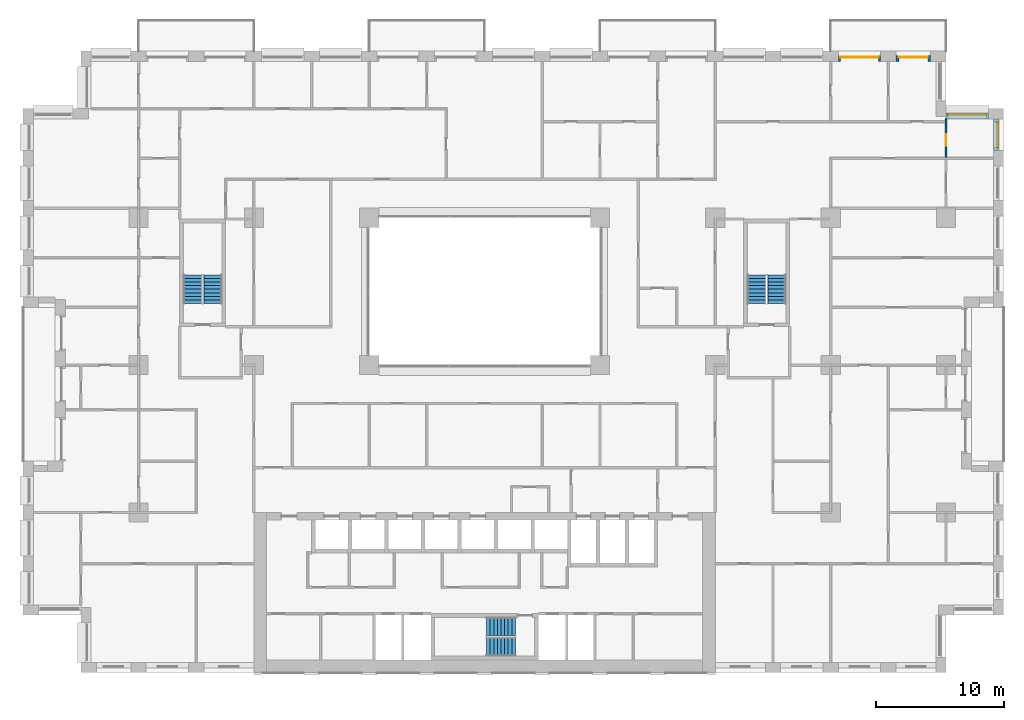
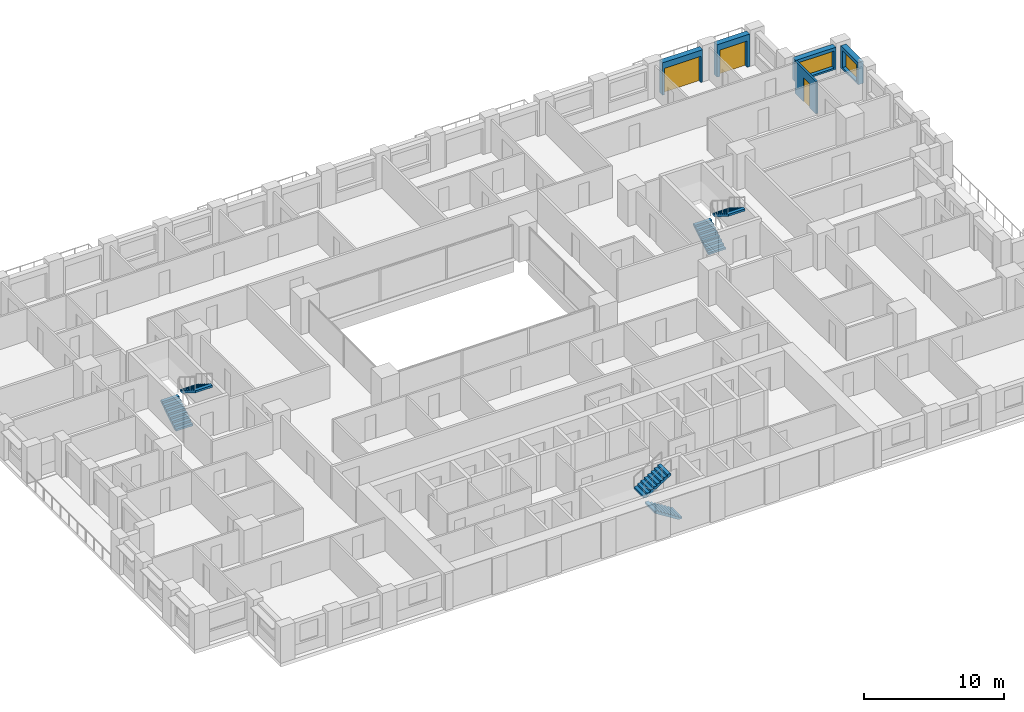
# One storey, part 18 of 20: 6 stair flights, 5 walls, 3 doors, 2 windows, 5 openings, 3 elements without a shape of their own.
"""IFC4 building model written with IfcOpenShell, lengths in metres."""

from ifc_helpers import new_model, si_unit, direction, frame, frame_2d, origin, place, context, subcontext, project, spatial, polyline, rectangle, outline, extrude, material, layer, layer_set, type_object, element, fill, aggregate, save


model = new_model("IFC4")

# Units and contexts
model_context = context("Model", 3, precision=1e-05, world=origin(), true_north=direction((0.0, 1.0)))
body_context = subcontext(model_context, "Body", "Model", "MODEL_VIEW")
ifc_project = project(units=[si_unit("LENGTHUNIT", "METRE"), si_unit("AREAUNIT", "SQUARE_METRE"), si_unit("VOLUMEUNIT", "CUBIC_METRE"), si_unit("PLANEANGLEUNIT", "RADIAN"), si_unit("MASSUNIT", "GRAM", prefix="KILO")], contexts=[model_context])

# Site, building, storey
site_placement = place(None, origin())
site = spatial("IfcSite", under=ifc_project, at=site_placement, CompositionType="ELEMENT")
building_placement = place(site_placement, origin())
building = spatial("IfcBuilding", under=site, at=building_placement, Name="Brigalow Station Residences", CompositionType="ELEMENT")
storey_placement = place(building_placement, frame((0.0, 0.0, 41.550048828125)))
storey = spatial("IfcBuildingStorey", under=building, at=storey_placement, Name="L11", CompositionType="ELEMENT", Elevation=41.550048828125)

# Wall, opening, window
ifc_material_1 = material(Name="Clay brick masonry", Category="masonry")
ifc_layer_1 = layer(ifc_material_1, 0.449951171875)
ifc_layer_set_1 = layer_set([ifc_layer_1], Name="BRICK INFILL WALL 450")
wall_type_1 = type_object("IfcWallType", Name="BRICK INFILL WALL 450", PredefinedType="SOLIDWALL", material=ifc_layer_set_1)
wall_1_placement = place(storey_placement, frame((75.925048828125, 40.72509765625, 0.89990234375), z_axis=(0.0, 0.0, 1.0), x_axis=(0.0, 1.0, 0.0)))
wall_1 = element("IfcWall", 1, at=wall_1_placement, inside=storey, type_object=wall_type_1, Name="L11/ewall/W-L11-22", PredefinedType="SOLIDWALL", context=body_context, shape_type="SweptSolid", body=[
    extrude(rectangle(XDim=2.474853515625, YDim=0.449951171875, at=frame_2d((1.2373046875, 0.0))), origin(), (0.0, 0.0, 1.0), 1.929931640625),
])
opening_1_placement = place(wall_1_placement, frame((0.237548828125, 0.0, 0.14990234375)))
opening_1 = element("IfcOpeningElement", 2, at=opening_1_placement, cuts=wall_1, Name="Opening WT-7", PredefinedType="OPENING", context=body_context, shape_type="SweptSolid", body=[
    extrude(rectangle(XDim=2.0, YDim=1.5, at=frame_2d((1.0, 0.75))), frame((0.0, 0.23486328125, 0.0), z_axis=(0.0, -1.0, 0.0), x_axis=(1.0, 0.0, 0.0)), (0.0, 0.0, 1.0), 0.469970703125),
])
ifc_material_2 = material(Name="Anodised aluminium frame with double glazing", Category="aluminium")
window_type_1 = type_object("IfcWindowType", Name="WINDOW 2000x1500", PartitioningType="SINGLE_PANEL", PredefinedType="WINDOW", material=ifc_material_2)
window_1_placement = place(opening_1_placement, origin())
window_1 = element("IfcWindow", 3, at=window_1_placement, inside=storey, type_object=window_type_1, Name="L11/window/W-L11-22", OverallHeight=1.5, OverallWidth=2.0, PartitioningType="SINGLE_PANEL", PredefinedType="WINDOW", context=body_context, shape_type="SweptSolid", body=[
    extrude(rectangle(XDim=2.0, YDim=1.5, at=frame_2d((1.0, 0.75))), frame((0.0, -0.06494140625, 0.0), z_axis=(0.0, -1.0, 0.0), x_axis=(1.0, 0.0, 0.0)), (0.0, 0.0, 1.0), 0.06005859375),
])
fill(opening_1, window_1)

wall_2_placement = place(storey_placement, frame((75.300048828125, 43.425048828125, 0.89990234375), z_axis=(0.0, 0.0, 1.0), x_axis=(-1.0, 0.0, 0.0)))
wall_2 = element("IfcWall", 4, at=wall_2_placement, inside=storey, type_object=wall_type_1, Name="L11/ewall/W-L11-23", PredefinedType="SOLIDWALL", context=body_context, shape_type="SweptSolid", body=[
    extrude(rectangle(XDim=3.300048828125, YDim=0.449951171875, at=frame_2d((1.64990234375, 0.0))), origin(), (0.0, 0.0, 1.0), 1.929931640625),
])
opening_2_placement = place(wall_2_placement, frame((0.14990234375, 0.0, 0.14990234375)))
opening_2 = element("IfcOpeningElement", 5, at=opening_2_placement, cuts=wall_2, Name="Opening WT-2", PredefinedType="OPENING", context=body_context, shape_type="SweptSolid", body=[
    extrude(rectangle(XDim=3.0, YDim=1.5, at=frame_2d((1.5, 0.75))), frame((0.0, 0.23486328125, 0.0), z_axis=(0.0, -1.0, 0.0), x_axis=(1.0, 0.0, 0.0)), (0.0, 0.0, 1.0), 0.469970703125),
])
ifc_material_3 = material(Name="Anodised aluminium frame with double glazing", Category="aluminium")
window_type_2 = type_object("IfcWindowType", Name="WINDOW 3000x1500", PartitioningType="SINGLE_PANEL", PredefinedType="WINDOW", material=ifc_material_3)
window_2_placement = place(opening_2_placement, origin())
window_2 = element("IfcWindow", 6, at=window_2_placement, inside=storey, type_object=window_type_2, Name="L11/window/W-L11-23", OverallHeight=1.5, OverallWidth=3.0, PartitioningType="SINGLE_PANEL", PredefinedType="WINDOW", context=body_context, shape_type="SweptSolid", body=[
    extrude(rectangle(XDim=3.0, YDim=1.5, at=frame_2d((1.5, 0.75))), frame((0.0, -0.06494140625, 0.0), z_axis=(0.0, -1.0, 0.0), x_axis=(1.0, 0.0, 0.0)), (0.0, 0.0, 1.0), 0.06005859375),
])
fill(opening_2, window_2)

# Wall, opening, door
wall_3_placement = place(storey_placement, frame((70.800048828125, 47.925048828125, 0.0), z_axis=(0.0, 0.0, 1.0), x_axis=(-1.0, 0.0, 0.0)))
wall_3 = element("IfcWall", 7, at=wall_3_placement, inside=storey, type_object=wall_type_1, Name="L11/ewall/W-L11-25", PredefinedType="SOLIDWALL", context=body_context, shape_type="SweptSolid", body=[
    extrude(rectangle(XDim=2.699951171875, YDim=0.449951171875, at=frame_2d((1.35009765625, 0.0))), origin(), (0.0, 0.0, 1.0), 2.829833984375),
])
opening_3_placement = place(wall_3_placement, frame((0.22509765625, 0.0, 0.0)))
opening_3 = element("IfcOpeningElement", 8, at=opening_3_placement, cuts=wall_3, Name="Opening D-B2250", PredefinedType="OPENING", context=body_context, shape_type="SweptSolid", body=[
    extrude(rectangle(XDim=2.25, YDim=2.300048828125, at=frame_2d((1.125, 1.14990234375))), frame((0.0, 0.23486328125, 0.0), z_axis=(0.0, -1.0, 0.0), x_axis=(1.0, 0.0, 0.0)), (0.0, 0.0, 1.0), 0.469970703125),
])
ifc_material_4 = material(Name="Anodised aluminium frame with double glazing", Category="aluminium")
door_type_1 = type_object("IfcDoorType", Name="BALCONY SLIDING DOOR 2250x2300", OperationType="SLIDING_TO_LEFT", PredefinedType="DOOR", material=ifc_material_4)
door_1_placement = place(opening_3_placement, origin())
door_1 = element("IfcDoor", 9, at=door_1_placement, inside=storey, type_object=door_type_1, Name="L11/balcony-door/W-L11-25", OperationType="SLIDING_TO_LEFT", OverallHeight=2.300048828125, OverallWidth=2.25, PredefinedType="DOOR", context=body_context, shape_type="SweptSolid", body=[
    extrude(rectangle(XDim=2.25, YDim=2.300048828125, at=frame_2d((1.125, 1.14990234375))), frame((0.0, -0.06982421875, 0.0), z_axis=(0.0, -1.0, 0.0), x_axis=(1.0, 0.0, 0.0)), (0.0, 0.0, 1.0), 0.050048828125),
])
fill(opening_3, door_1)

wall_4_placement = place(storey_placement, frame((66.89990234375, 47.925048828125, 0.0), z_axis=(0.0, 0.0, 1.0), x_axis=(-1.0, 0.0, 0.0)))
wall_4 = element("IfcWall", 10, at=wall_4_placement, inside=storey, type_object=wall_type_1, Name="L11/ewall/W-L11-26", PredefinedType="SOLIDWALL", context=body_context, shape_type="SweptSolid", body=[
    extrude(rectangle(XDim=3.2998046875, YDim=0.449951171875, at=frame_2d((1.64990234375, 0.0))), origin(), (0.0, 0.0, 1.0), 2.829833984375),
])
opening_4_placement = place(wall_4_placement, frame((0.14990234375, 0.0, 0.0)))
opening_4 = element("IfcOpeningElement", 11, at=opening_4_placement, cuts=wall_4, Name="Opening D-B3000", PredefinedType="OPENING", context=body_context, shape_type="SweptSolid", body=[
    extrude(rectangle(XDim=3.0, YDim=2.300048828125, at=frame_2d((1.5, 1.14990234375))), frame((0.0, 0.23486328125, 0.0), z_axis=(0.0, -1.0, 0.0), x_axis=(1.0, 0.0, 0.0)), (0.0, 0.0, 1.0), 0.469970703125),
])
ifc_material_5 = material(Name="Anodised aluminium frame with double glazing", Category="aluminium")
door_type_2 = type_object("IfcDoorType", Name="BALCONY SLIDING DOOR 3000x2300", OperationType="SLIDING_TO_LEFT", PredefinedType="DOOR", material=ifc_material_5)
door_2_placement = place(opening_4_placement, origin())
door_2 = element("IfcDoor", 12, at=door_2_placement, inside=storey, type_object=door_type_2, Name="L11/balcony-door/W-L11-26", OperationType="SLIDING_TO_LEFT", OverallHeight=2.300048828125, OverallWidth=3.0, PredefinedType="DOOR", context=body_context, shape_type="SweptSolid", body=[
    extrude(rectangle(XDim=3.0, YDim=2.300048828125, at=frame_2d((1.5, 1.14990234375))), frame((0.0, -0.06982421875, 0.0), z_axis=(0.0, -1.0, 0.0), x_axis=(1.0, 0.0, 0.0)), (0.0, 0.0, 1.0), 0.050048828125),
])
fill(opening_4, door_2)

ifc_material_6 = material(Name="Plasterboard on steel stud partition", Category="steel")
ifc_layer_2 = layer(ifc_material_6, 0.14990234375)
ifc_layer_set_2 = layer_set([ifc_layer_2], Name="FLAT PARTITION 150")
wall_type_2 = type_object("IfcWallType", Name="FLAT PARTITION 150", PredefinedType="PARTITIONING", material=ifc_layer_set_2)
wall_5_placement = place(storey_placement, frame((72.0, 40.199951171875, 0.0), z_axis=(0.0, 0.0, 1.0), x_axis=(0.0, 1.0, 0.0)))
wall_5 = element("IfcWall", 13, at=wall_5_placement, inside=storey, type_object=wall_type_2, Name="PW-1C77", PredefinedType="PARTITIONING", context=body_context, shape_type="SweptSolid", body=[
    extrude(rectangle(XDim=3.0, YDim=0.14990234375, at=frame_2d((1.5, 0.0))), origin(), (0.0, 0.0, 1.0), 2.829833984375),
])
opening_5_placement = place(wall_5_placement, frame((0.912109375, 0.0, 0.0)))
opening_5 = element("IfcOpeningElement", 14, at=opening_5_placement, cuts=wall_5, Name="Opening D-1C42", PredefinedType="OPENING", context=body_context, shape_type="SweptSolid", body=[
    extrude(rectangle(XDim=0.89990234375, YDim=2.10009765625, at=frame_2d((0.449951171875, 1.050048828125))), frame((0.0, 0.0849609375, 0.0), z_axis=(0.0, -1.0, 0.0), x_axis=(1.0, 0.0, 0.0)), (0.0, 0.0, 1.0), 0.169921875),
])
ifc_material_7 = material(Name="Solid-core timber door leaf", Category="wood")
door_type_3 = type_object("IfcDoorType", Name="INTERNAL DOOR 900 x 2100", OperationType="SINGLE_SWING_LEFT", PredefinedType="DOOR", material=ifc_material_7)
door_3_placement = place(opening_5_placement, frame((0.89990234375, 0.0, 0.0), z_axis=(0.0, 0.0, 1.0), x_axis=(-1.0, 0.0, 0.0)))
door_3 = element("IfcDoor", 15, at=door_3_placement, inside=storey, type_object=door_type_3, Name="D-1C42", OperationType="SINGLE_SWING_RIGHT", OverallHeight=2.10009765625, OverallWidth=0.89990234375, PredefinedType="DOOR", context=body_context, shape_type="SweptSolid", body=[
    extrude(rectangle(XDim=0.89990234375, YDim=2.10009765625, at=frame_2d((0.449951171875, 1.050048828125))), frame((0.0, 0.02490234375, 0.0), z_axis=(0.0, -1.0, 0.0), x_axis=(1.0, 0.0, 0.0)), (0.0, 0.0, 1.0), 0.050048828125),
])
fill(opening_5, door_3)

# Stair, stair flights
ifc_material_8 = material(Name="Concrete C50", Category="concrete")
stair_type = type_object("IfcStairType", Name="EXIT STAIR 1400 2 FLIGHT", PredefinedType="HALF_TURN_STAIR", material=ifc_material_8)
stair_1_placement = place(storey_placement, origin())
stair_1 = element("IfcStair", 16, at=stair_1_placement, inside=storey, type_object=stair_type, Name="EXIT STAIR S2 L11", PredefinedType="HALF_TURN_STAIR")
ifc_material_9 = material(Name="Concrete C50", Category="concrete")
stair_flight_type = type_object("IfcStairFlightType", Name="STAIR FLIGHT 1400", PredefinedType="STRAIGHT", material=ifc_material_9)
stair_flight_1_placement = place(storey_placement, frame((38.39990234375, 2.0, 0.0), z_axis=(0.0, 0.0, 1.0), x_axis=(-1.0, 0.0, 0.0)))
stair_flight_1 = element("IfcStairFlight", 17, at=stair_flight_1_placement, type_object=stair_flight_type, Name="ST-2 flight 1", NumberOfRisers=9, NumberOfTreads=8, PredefinedType="STRAIGHT", RiserHeight=0.175, TreadLength=0.28, context=body_context, shape_type="SweptSolid", body=[
    extrude(outline(polyline([(0.0, 0.0), (0.0, 0.175048828125), (0.280029296875, 0.175048828125), (0.280029296875, 0.35009765625), (0.56005859375, 0.35009765625), (0.56005859375, 0.52490234375), (0.840087890625, 0.52490234375), (0.840087890625, 0.699951171875), (1.1201171875, 0.699951171875), (1.1201171875, 0.875), (1.39990234375, 0.875), (1.39990234375, 1.050048828125), (1.679931640625, 1.050048828125), (1.679931640625, 1.22509765625), (1.9599609375, 1.22509765625), (1.9599609375, 1.39990234375), (2.239990234375, 1.39990234375), (2.239990234375, 1.574951171875), (2.239990234375, 1.22314453125), (0.28271484375, 0.0), (0.0, 0.0)])), frame((0.0, 0.699951171875, 0.0), z_axis=(0.0, -1.0, 0.0), x_axis=(1.0, 0.0, 0.0)), (0.0, 0.0, 1.0), 1.39990234375),
])
stair_flight_2_placement = place(storey_placement, frame((36.159912109375, 3.60009765625, 1.574951171875), z_axis=(0.0, 0.0, 1.0), x_axis=(1.0, 0.0, 0.0)))
stair_flight_2 = element("IfcStairFlight", 18, at=stair_flight_2_placement, type_object=stair_flight_type, Name="ST-2 flight 2", NumberOfRisers=9, NumberOfTreads=8, PredefinedType="STRAIGHT", RiserHeight=0.175, TreadLength=0.28, context=body_context, shape_type="SweptSolid", body=[
    extrude(outline(polyline([(0.0, 0.0), (0.0, 0.175048828125), (0.280029296875, 0.175048828125), (0.280029296875, 0.35009765625), (0.56005859375, 0.35009765625), (0.56005859375, 0.52490234375), (0.840087890625, 0.52490234375), (0.840087890625, 0.699951171875), (1.1201171875, 0.699951171875), (1.1201171875, 0.875), (1.39990234375, 0.875), (1.39990234375, 1.050048828125), (1.679931640625, 1.050048828125), (1.679931640625, 1.22509765625), (1.9599609375, 1.22509765625), (1.9599609375, 1.39990234375), (2.239990234375, 1.39990234375), (2.239990234375, 1.574951171875), (2.239990234375, 1.22314453125), (0.28271484375, 0.0), (0.0, 0.0)])), frame((0.0, 0.699951171875, 0.0), z_axis=(0.0, -1.0, 0.0), x_axis=(1.0, 0.0, 0.0)), (0.0, 0.0, 1.0), 1.39990234375),
])
aggregate(stair_1, [stair_flight_1, stair_flight_2])

stair_2_placement = place(storey_placement, origin())
stair_2 = element("IfcStair", 19, at=stair_2_placement, inside=storey, type_object=stair_type, Name="EXIT STAIR S1 L11", PredefinedType="HALF_TURN_STAIR")
stair_flight_3_placement = place(storey_placement, frame((13.199951171875, 28.800048828125, 0.0), z_axis=(0.0, 0.0, 1.0), x_axis=(0.0, 1.0, 0.0)))
stair_flight_3 = element("IfcStairFlight", 20, at=stair_flight_3_placement, type_object=stair_flight_type, Name="ST-1 flight 1", NumberOfRisers=9, NumberOfTreads=8, PredefinedType="STRAIGHT", RiserHeight=0.175, TreadLength=0.28, context=body_context, shape_type="SweptSolid", body=[
    extrude(outline(polyline([(0.0, 0.0), (0.0, 0.175048828125), (0.280029296875, 0.175048828125), (0.280029296875, 0.35009765625), (0.56005859375, 0.35009765625), (0.56005859375, 0.52490234375), (0.840087890625, 0.52490234375), (0.840087890625, 0.699951171875), (1.1201171875, 0.699951171875), (1.1201171875, 0.875), (1.39990234375, 0.875), (1.39990234375, 1.050048828125), (1.679931640625, 1.050048828125), (1.679931640625, 1.22509765625), (1.9599609375, 1.22509765625), (1.9599609375, 1.39990234375), (2.239990234375, 1.39990234375), (2.239990234375, 1.574951171875), (2.239990234375, 1.22314453125), (0.28271484375, 0.0), (0.0, 0.0)])), frame((0.0, 0.699951171875, 0.0), z_axis=(0.0, -1.0, 0.0), x_axis=(1.0, 0.0, 0.0)), (0.0, 0.0, 1.0), 1.39990234375),
])
stair_flight_4_placement = place(storey_placement, frame((14.800048828125, 31.0400390625, 1.574951171875), z_axis=(0.0, 0.0, 1.0), x_axis=(0.0, -1.0, 0.0)))
stair_flight_4 = element("IfcStairFlight", 21, at=stair_flight_4_placement, type_object=stair_flight_type, Name="ST-1 flight 2", NumberOfRisers=9, NumberOfTreads=8, PredefinedType="STRAIGHT", RiserHeight=0.175, TreadLength=0.28, context=body_context, shape_type="SweptSolid", body=[
    extrude(outline(polyline([(0.0, 0.0), (0.0, 0.175048828125), (0.280029296875, 0.175048828125), (0.280029296875, 0.35009765625), (0.56005859375, 0.35009765625), (0.56005859375, 0.52490234375), (0.840087890625, 0.52490234375), (0.840087890625, 0.699951171875), (1.1201171875, 0.699951171875), (1.1201171875, 0.875), (1.39990234375, 0.875), (1.39990234375, 1.050048828125), (1.679931640625, 1.050048828125), (1.679931640625, 1.22509765625), (1.9599609375, 1.22509765625), (1.9599609375, 1.39990234375), (2.239990234375, 1.39990234375), (2.239990234375, 1.574951171875), (2.239990234375, 1.22314453125), (0.28271484375, 0.0), (0.0, 0.0)])), frame((0.0, 0.699951171875, 0.0), z_axis=(0.0, -1.0, 0.0), x_axis=(1.0, 0.0, 0.0)), (0.0, 0.0, 1.0), 1.39990234375),
])
aggregate(stair_2, [stair_flight_3, stair_flight_4])

stair_3_placement = place(storey_placement, origin())
stair_3 = element("IfcStair", 22, at=stair_3_placement, inside=storey, type_object=stair_type, Name="EXIT STAIR S3 L11", PredefinedType="HALF_TURN_STAIR")
stair_flight_5_placement = place(storey_placement, frame((57.199951171875, 28.800048828125, 0.0), z_axis=(0.0, 0.0, 1.0), x_axis=(0.0, 1.0, 0.0)))
stair_flight_5 = element("IfcStairFlight", 23, at=stair_flight_5_placement, type_object=stair_flight_type, Name="ST-3 flight 1", NumberOfRisers=9, NumberOfTreads=8, PredefinedType="STRAIGHT", RiserHeight=0.175, TreadLength=0.28, context=body_context, shape_type="SweptSolid", body=[
    extrude(outline(polyline([(0.0, 0.0), (0.0, 0.175048828125), (0.280029296875, 0.175048828125), (0.280029296875, 0.35009765625), (0.56005859375, 0.35009765625), (0.56005859375, 0.52490234375), (0.840087890625, 0.52490234375), (0.840087890625, 0.699951171875), (1.1201171875, 0.699951171875), (1.1201171875, 0.875), (1.39990234375, 0.875), (1.39990234375, 1.050048828125), (1.679931640625, 1.050048828125), (1.679931640625, 1.22509765625), (1.9599609375, 1.22509765625), (1.9599609375, 1.39990234375), (2.239990234375, 1.39990234375), (2.239990234375, 1.574951171875), (2.239990234375, 1.22314453125), (0.28271484375, 0.0), (0.0, 0.0)])), frame((0.0, 0.699951171875, 0.0), z_axis=(0.0, -1.0, 0.0), x_axis=(1.0, 0.0, 0.0)), (0.0, 0.0, 1.0), 1.39990234375),
])
stair_flight_6_placement = place(storey_placement, frame((58.800048828125, 31.0400390625, 1.574951171875), z_axis=(0.0, 0.0, 1.0), x_axis=(0.0, -1.0, 0.0)))
stair_flight_6 = element("IfcStairFlight", 24, at=stair_flight_6_placement, type_object=stair_flight_type, Name="ST-3 flight 2", NumberOfRisers=9, NumberOfTreads=8, PredefinedType="STRAIGHT", RiserHeight=0.175, TreadLength=0.28, context=body_context, shape_type="SweptSolid", body=[
    extrude(outline(polyline([(0.0, 0.0), (0.0, 0.175048828125), (0.280029296875, 0.175048828125), (0.280029296875, 0.35009765625), (0.56005859375, 0.35009765625), (0.56005859375, 0.52490234375), (0.840087890625, 0.52490234375), (0.840087890625, 0.699951171875), (1.1201171875, 0.699951171875), (1.1201171875, 0.875), (1.39990234375, 0.875), (1.39990234375, 1.050048828125), (1.679931640625, 1.050048828125), (1.679931640625, 1.22509765625), (1.9599609375, 1.22509765625), (1.9599609375, 1.39990234375), (2.239990234375, 1.39990234375), (2.239990234375, 1.574951171875), (2.239990234375, 1.22314453125), (0.28271484375, 0.0), (0.0, 0.0)])), frame((0.0, 0.699951171875, 0.0), z_axis=(0.0, -1.0, 0.0), x_axis=(1.0, 0.0, 0.0)), (0.0, 0.0, 1.0), 1.39990234375),
])
aggregate(stair_3, [stair_flight_5, stair_flight_6])

save(model, "model.ifc")
